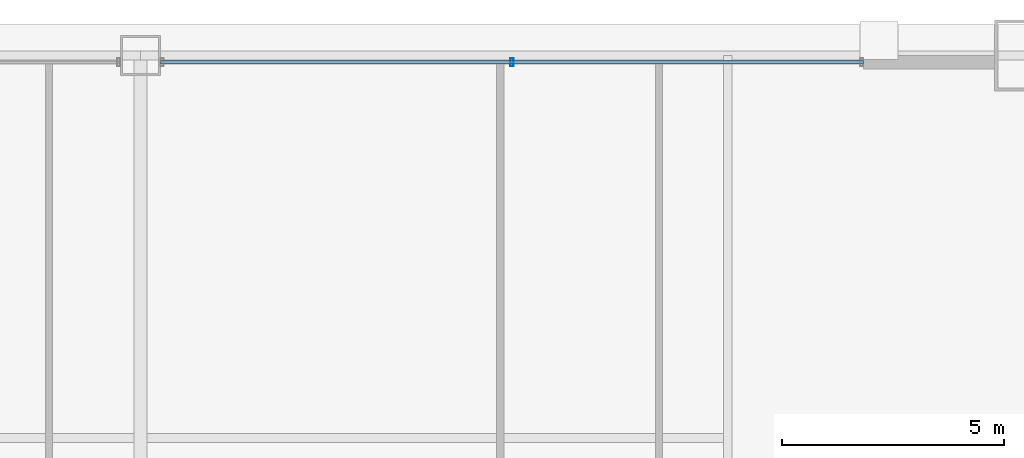
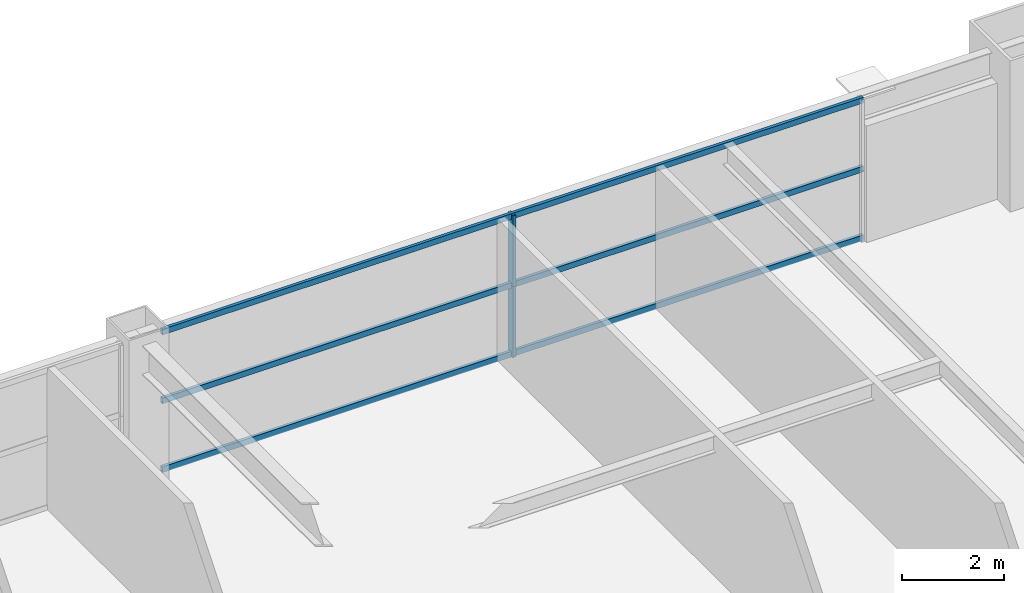
# One storey, part 30 of 38: 5 members, 1 element without a shape of its own.
"""IFC4 building model written with IfcOpenShell, lengths in metres."""

from ifc_helpers import new_model, si_unit, direction, frame, origin, origin_2d, place, context, subcontext, project, spatial, hollow_rectangle, extrude, source, transform, mapped, material, layer, layer_set, material_profile, profile_set, type_object, element, aggregate, save


model = new_model("IFC4")

# Units and contexts
model_context = context("Model", 3, precision=1e-05, world=origin(), true_north=direction((0.0, 1.0)))
body_context = subcontext(model_context, "Body", "Model", "MODEL_VIEW")
ifc_project = project(units=[si_unit("LENGTHUNIT", "METRE"), si_unit("AREAUNIT", "SQUARE_METRE"), si_unit("VOLUMEUNIT", "CUBIC_METRE"), si_unit("PLANEANGLEUNIT", "RADIAN"), si_unit("MASSUNIT", "GRAM", prefix="KILO"), si_unit("THERMODYNAMICTEMPERATUREUNIT", "KELVIN"), si_unit("POWERUNIT", "WATT")], contexts=[model_context])

# Site, building, storey
site_placement = place(None, origin())
site = spatial("IfcSite", under=ifc_project, at=site_placement, CompositionType="ELEMENT")
building_placement = place(site_placement, origin())
building = spatial("IfcBuilding", under=site, at=building_placement, Name="Yuzanri Waterfront Tower", CompositionType="ELEMENT")
storey_placement = place(building_placement, frame((0.0, 0.0, 119.0)))
storey = spatial("IfcBuildingStorey", under=building, at=storey_placement, Name="L31", CompositionType="ELEMENT", Elevation=119.0)

# Curtain wall, members
ifc_material_1 = material(Name="Anodized Architectural Bronze", Category="metal")
ifc_layer = layer(ifc_material_1, 0.159912109375)
ifc_layer_set = layer_set([ifc_layer], Name="Anodized Architectural Bronze")
curtain_wall_type = type_object("IfcCurtainWallType", Name="Anodized Bronze Hotel Upper-Tier Solar-Control Unitized Curtain Wall 7800", PredefinedType="NOTDEFINED", material=ifc_layer_set)
curtain_wall_placement = place(storey_placement, origin())
curtain_wall = element("IfcCurtainWall", 1, at=curtain_wall_placement, inside=storey, type_object=curtain_wall_type, Name="L31 Curtain Wall CW-L31-NR", PredefinedType="NOTDEFINED")
ifc_material_2 = material(Name="Anodized Architectural Bronze", Category="metal")
ifc_material_profile_1 = material_profile(ifc_material_2, hollow_rectangle(XDim=0.070068359375, YDim=0.179931640625, WallThickness=0.00390625, at=origin_2d()), Name="CWM 70x180")
ifc_profile_set_1 = profile_set([ifc_material_profile_1], Name="Anodized Architectural Bronze")
member_type_1 = type_object("IfcMemberType", Name="Anodized Bronze Standard Curtain-Wall Mullion 70x180", PredefinedType="MULLION", material=ifc_profile_set_1)
shared_shape_1 = source(origin(), body_context, "Body", "SweptSolid", [
    extrude(hollow_rectangle(XDim=0.070068359375, YDim=0.179931640625, WallThickness=0.00390625, at=origin_2d()), origin(), (0.0, 0.0, 1.0), 1.68798828125),
])
member_1_placement = place(storey_placement, frame((45.35009765625, 49.25, 0.0), z_axis=(0.0, 0.0, 1.0), x_axis=(1.0, 0.0, 0.0)))
member_1 = element("IfcMember", 2, at=member_1_placement, type_object=member_type_1, Name="CW-L31-NR Lower Mullion 01", PredefinedType="MULLION", context=body_context, shape_type="MappedRepresentation", body=[
    mapped(shared_shape_1, transform((0.0, 0.0, 0.0), scale=1.0)),
])
member_2_placement = place(storey_placement, frame((45.35009765625, 49.25, 1.69189453125), z_axis=(0.0, 0.0, 1.0), x_axis=(1.0, 0.0, 0.0)))
member_2 = element("IfcMember", 3, at=member_2_placement, type_object=member_type_1, Name="CW-L31-NR Upper Mullion 01", PredefinedType="MULLION", context=body_context, shape_type="MappedRepresentation", body=[
    mapped(shared_shape_1, transform((0.0, 0.0, 0.0), scale=1.0)),
])
ifc_material_3 = material(Name="Anodized Architectural Bronze", Category="metal")
ifc_material_profile_2 = material_profile(ifc_material_3, hollow_rectangle(XDim=0.070068359375, YDim=0.135009765625, WallThickness=0.00341796875, at=origin_2d()), Name="CWT 70x135")
ifc_profile_set_2 = profile_set([ifc_material_profile_2], Name="Anodized Architectural Bronze")
member_type_2 = type_object("IfcMemberType", Name="Anodized Bronze Standard Curtain-Wall Transom 70x135", PredefinedType="USERDEFINED", material=ifc_profile_set_2)
shared_shape_2 = source(origin(), body_context, "Body", "SweptSolid", [
    extrude(hollow_rectangle(XDim=0.070068359375, YDim=0.135009765625, WallThickness=0.00341796875, at=origin_2d()), origin(), (0.0, 0.0, 1.0), 15.800048828125),
])
member_3_placement = place(storey_placement, frame((37.449951171875, 49.25, 0.050048828125), z_axis=(1.0, 0.0, 0.0), x_axis=(0.0, 1.0, 0.0)))
member_3 = element("IfcMember", 4, at=member_3_placement, type_object=member_type_2, Name="CW-L31-NR Transom 1", ObjectType="TRANSOM", PredefinedType="USERDEFINED", context=body_context, shape_type="MappedRepresentation", body=[
    mapped(shared_shape_2, transform((0.0, 0.0, 0.0), scale=1.0)),
])
member_4_placement = place(storey_placement, frame((37.449951171875, 49.25, 1.68994140625), z_axis=(1.0, 0.0, 0.0), x_axis=(0.0, 1.0, 0.0)))
member_4 = element("IfcMember", 5, at=member_4_placement, type_object=member_type_2, Name="CW-L31-NR Transom 2", ObjectType="TRANSOM", PredefinedType="USERDEFINED", context=body_context, shape_type="MappedRepresentation", body=[
    mapped(shared_shape_2, transform((0.0, 0.0, 0.0), scale=1.0)),
])
member_5_placement = place(storey_placement, frame((37.449951171875, 49.25, 3.330078125), z_axis=(1.0, 0.0, 0.0), x_axis=(0.0, 1.0, 0.0)))
member_5 = element("IfcMember", 6, at=member_5_placement, type_object=member_type_2, Name="CW-L31-NR Transom 3", ObjectType="TRANSOM", PredefinedType="USERDEFINED", context=body_context, shape_type="MappedRepresentation", body=[
    mapped(shared_shape_2, transform((0.0, 0.0, 0.0), scale=1.0)),
])
aggregate(curtain_wall, [member_1, member_2, member_3, member_4, member_5])

save(model, "model.ifc")
